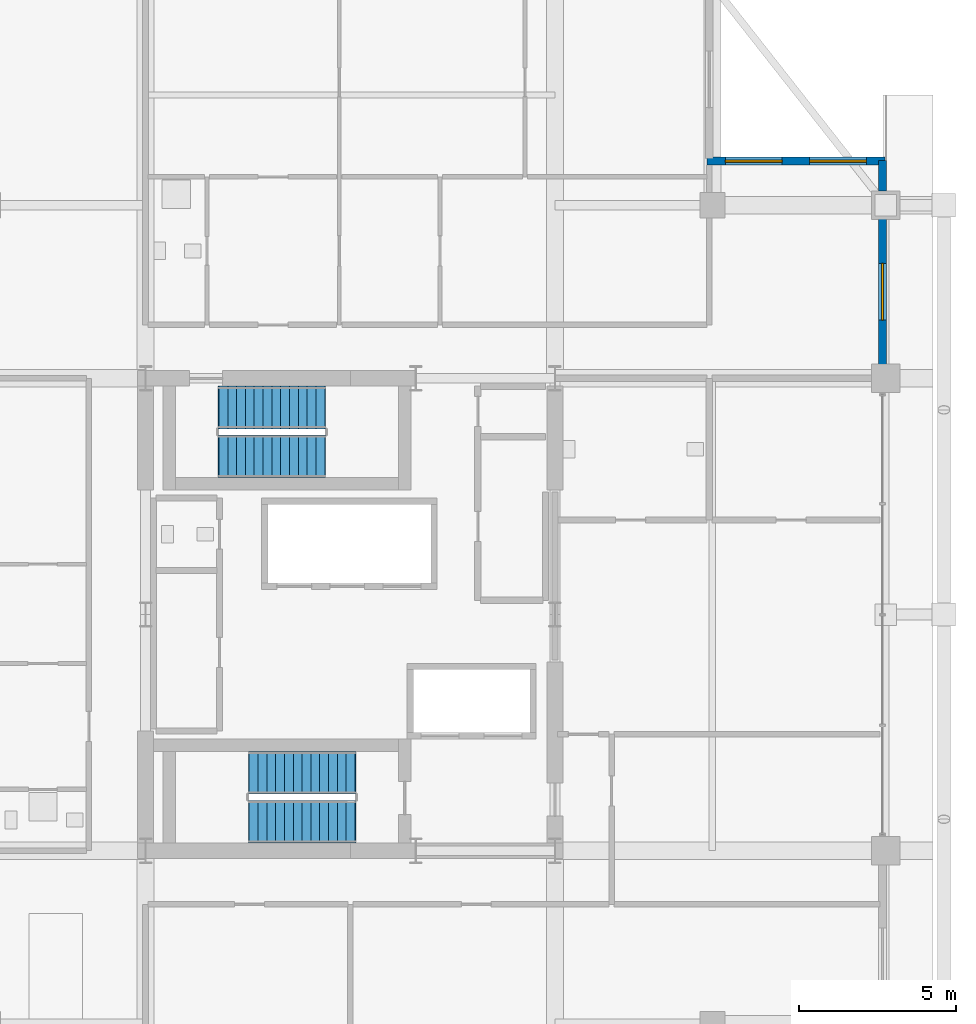
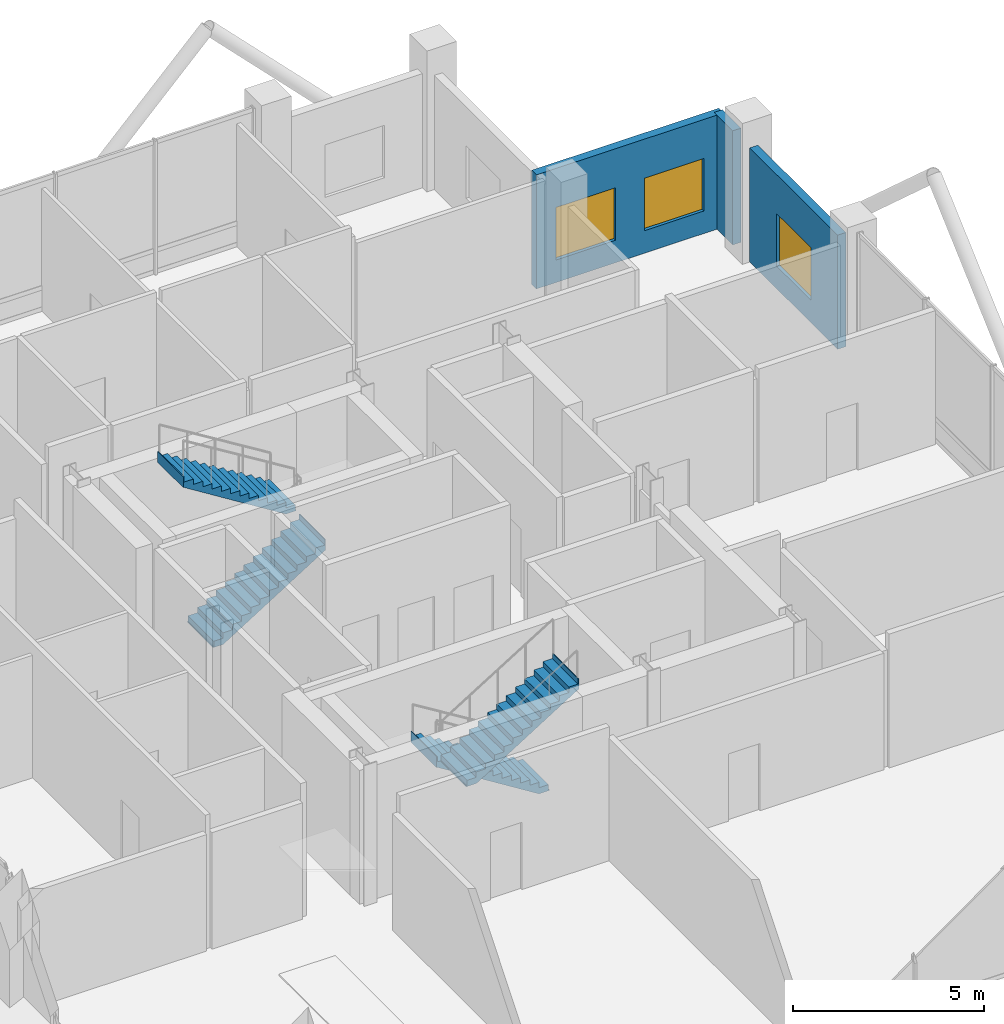
# One storey, part 23 of 27: 4 stair flights, 3 walls, 3 windows, 3 openings, 2 elements without a shape of their own.
"""IFC4 building model written with IfcOpenShell, lengths in metres."""

from ifc_helpers import new_model, si_unit, direction, frame, frame_2d, origin, place, context, subcontext, project, spatial, polyline, rectangle, outline, extrude, material, layer, layer_set, type_object, element, fill, aggregate, save


model = new_model("IFC4")

# Units and contexts
model_context = context("Model", 3, precision=1e-05, world=origin(), true_north=direction((0.0, 1.0)))
body_context = subcontext(model_context, "Body", "Model", "MODEL_VIEW")
ifc_project = project(units=[si_unit("LENGTHUNIT", "METRE"), si_unit("AREAUNIT", "SQUARE_METRE"), si_unit("VOLUMEUNIT", "CUBIC_METRE"), si_unit("PLANEANGLEUNIT", "RADIAN"), si_unit("MASSUNIT", "GRAM", prefix="KILO")], contexts=[model_context])

# Site, building, storey
site_placement = place(None, origin())
site = spatial("IfcSite", under=ifc_project, at=site_placement, CompositionType="ELEMENT")
building_placement = place(site_placement, origin())
building = spatial("IfcBuilding", under=site, at=building_placement, Name="Barlavira Tower and Art Museum", CompositionType="ELEMENT")
storey_placement = place(building_placement, frame((0.0, 0.0, 217.800048828125)))
storey = spatial("IfcBuildingStorey", under=building, at=storey_placement, Name="L56", CompositionType="ELEMENT", Elevation=217.800048828125)

# Wall, opening, window
ifc_material_1 = material(Name="Precast concrete C40", Category="concrete")
ifc_layer = layer(ifc_material_1, 0.25, Name="Precast concrete C40")
ifc_layer_set = layer_set([ifc_layer], Name="Precast concrete C40")
wall_type = type_object("IfcWallType", Name="Notched Corner Spandrel Wall 250 Precast Concrete C40", PredefinedType="SOLIDWALL", material=ifc_layer_set)
wall_1_placement = place(storey_placement, frame((16.89990234375, 7.945068359375, 0.0), z_axis=(0.0, 0.0, 1.0), x_axis=(0.0, 1.0, 0.0)))
wall_1 = element("IfcWall", 1, at=wall_1_placement, inside=storey, type_object=wall_type, Name="L56 Coastal Facade Pier Wall CW4-L56-E-4", PredefinedType="SOLIDWALL", context=body_context, shape_type="SweptSolid", body=[
    extrude(rectangle(XDim=4.60986328125, YDim=0.25, at=frame_2d((2.304931640625, 0.0))), origin(), (0.0, 0.0, 1.0), 3.64794921875),
])
opening_1_placement = place(wall_1_placement, frame((1.405029296875, 0.0, 0.719970703125)))
opening_1 = element("IfcOpeningElement", 2, at=opening_1_placement, cuts=wall_1, Name="Opening WN-01", PredefinedType="OPENING", context=body_context, shape_type="SweptSolid", body=[
    extrude(rectangle(XDim=1.800048828125, YDim=1.679931640625, at=frame_2d((0.89990234375, 0.83984375))), frame((0.0, 0.135009765625, 0.0), z_axis=(0.0, -1.0, 0.0), x_axis=(1.0, 0.0, 0.0)), (0.0, 0.0, 1.0), 0.27001953125),
])
ifc_material_2 = material(Name="Low-iron coastal laminated glass", Category="glass")
window_type = type_object("IfcWindowType", Name="Recessed Notch Corner Punch Window 1800x1680", PartitioningType="SINGLE_PANEL", PredefinedType="WINDOW", material=ifc_material_2)
window_1_placement = place(opening_1_placement, origin())
window_1 = element("IfcWindow", 3, at=window_1_placement, inside=storey, type_object=window_type, Name="L56 Punched Facade Window EWP-CW4-L56-E-4-1", OverallHeight=1.679931640625, OverallWidth=1.800048828125, PartitioningType="SINGLE_PANEL", PredefinedType="WINDOW", context=body_context, shape_type="SweptSolid", body=[
    extrude(rectangle(XDim=1.800048828125, YDim=1.679931640625, at=frame_2d((0.89990234375, 0.83984375))), frame((0.0, 0.030029296875, 0.0), z_axis=(0.0, -1.0, 0.0), x_axis=(1.0, 0.0, 0.0)), (0.0, 0.0, 1.0), 0.06005859375),
])
fill(opening_1, window_1)

# Wall
wall_2_placement = place(storey_placement, frame((16.89990234375, 13.445068359375, 0.0), z_axis=(0.0, 0.0, 1.0), x_axis=(0.0, 1.0, 0.0)))
element("IfcWall", 4, at=wall_2_placement, inside=storey, type_object=wall_type, Name="L56 Coastal Facade Pier Wall CW4-L56-E-5", PredefinedType="SOLIDWALL", context=body_context, shape_type="SweptSolid", body=[
    extrude(rectangle(XDim=0.97998046875, YDim=0.25, at=frame_2d((0.489990234375, 0.0))), origin(), (0.0, 0.0, 1.0), 3.64794921875),
])

# Wall, openings, windows
wall_3_placement = place(storey_placement, frame((16.97998046875, 14.39990234375, 0.0), z_axis=(0.0, 0.0, 1.0), x_axis=(-1.0, 0.0, 0.0)))
wall_3 = element("IfcWall", 5, at=wall_3_placement, inside=storey, type_object=wall_type, Name="L56 Notch Corner Wall NE1", PredefinedType="SOLIDWALL", context=body_context, shape_type="SweptSolid", body=[
    extrude(rectangle(XDim=5.659912109375, YDim=0.25, at=frame_2d((2.830078125, 0.0))), origin(), (0.0, 0.0, 1.0), 3.64794921875),
])
opening_2_placement = place(wall_3_placement, frame((0.594970703125, 0.0, 0.719970703125)))
opening_2 = element("IfcOpeningElement", 6, at=opening_2_placement, cuts=wall_3, Name="Opening WN-01", PredefinedType="OPENING", context=body_context, shape_type="SweptSolid", body=[
    extrude(rectangle(XDim=1.800048828125, YDim=1.679931640625, at=frame_2d((0.89990234375, 0.83984375))), frame((0.0, 0.135009765625, 0.0), z_axis=(0.0, -1.0, 0.0), x_axis=(1.0, 0.0, 0.0)), (0.0, 0.0, 1.0), 0.27001953125),
])
opening_3_placement = place(wall_3_placement, frame((3.264892578125, 0.0, 0.719970703125)))
opening_3 = element("IfcOpeningElement", 7, at=opening_3_placement, cuts=wall_3, Name="Opening WN-01", PredefinedType="OPENING", context=body_context, shape_type="SweptSolid", body=[
    extrude(rectangle(XDim=1.800048828125, YDim=1.679931640625, at=frame_2d((0.89990234375, 0.83984375))), frame((0.0, 0.135009765625, 0.0), z_axis=(0.0, -1.0, 0.0), x_axis=(1.0, 0.0, 0.0)), (0.0, 0.0, 1.0), 0.27001953125),
])
window_2_placement = place(opening_2_placement, origin())
window_2 = element("IfcWindow", 8, at=window_2_placement, inside=storey, type_object=window_type, Name="L56 Punched Facade Window EW-NTC-L56-NE1-1", OverallHeight=1.679931640625, OverallWidth=1.800048828125, PartitioningType="SINGLE_PANEL", PredefinedType="WINDOW", context=body_context, shape_type="SweptSolid", body=[
    extrude(rectangle(XDim=1.800048828125, YDim=1.679931640625, at=frame_2d((0.89990234375, 0.83984375))), frame((0.0, 0.030029296875, 0.0), z_axis=(0.0, -1.0, 0.0), x_axis=(1.0, 0.0, 0.0)), (0.0, 0.0, 1.0), 0.06005859375),
])
fill(opening_2, window_2)
window_3_placement = place(opening_3_placement, origin())
window_3 = element("IfcWindow", 9, at=window_3_placement, inside=storey, type_object=window_type, Name="L56 Punched Facade Window EW-NTC-L56-NE1-2", OverallHeight=1.679931640625, OverallWidth=1.800048828125, PartitioningType="SINGLE_PANEL", PredefinedType="WINDOW", context=body_context, shape_type="SweptSolid", body=[
    extrude(rectangle(XDim=1.800048828125, YDim=1.679931640625, at=frame_2d((0.89990234375, 0.83984375))), frame((0.0, 0.030029296875, 0.0), z_axis=(0.0, -1.0, 0.0), x_axis=(1.0, 0.0, 0.0)), (0.0, 0.0, 1.0), 0.06005859375),
])
fill(opening_3, window_3)

# Stair, stair flights
ifc_material_3 = material(Name="Concrete C45", Category="concrete")
stair_type_1 = type_object("IfcStairType", Name="Tower North Dog-Leg Exit Stair Assembly Concrete C45", PredefinedType="TWO_QUARTER_TURN_STAIR", material=ifc_material_3)
stair_1_placement = place(storey_placement, origin())
stair_1 = element("IfcStair", 10, at=stair_1_placement, inside=storey, type_object=stair_type_1, Name="L56 Tower North Exit Stair ST-T2", PredefinedType="TWO_QUARTER_TURN_STAIR")
ifc_material_4 = material(Name="Precast concrete C45", Category="concrete")
stair_flight_type_1 = type_object("IfcStairFlightType", Name="Tower North Dog-Leg Exit Stair Precast Flight 1350 Concrete C45", PredefinedType="STRAIGHT", material=ifc_material_4)
stair_flight_1_placement = place(storey_placement, frame((-4.169921875, 5.02490234375, 0.0), z_axis=(0.0, 0.0, 1.0), x_axis=(1.0, 0.0, 0.0)))
stair_flight_1 = element("IfcStairFlight", 11, at=stair_flight_1_placement, type_object=stair_flight_type_1, Name="ST-T2 flight 1", NumberOfRisers=13, NumberOfTreads=12, PredefinedType="STRAIGHT", RiserHeight=0.173076923, TreadLength=0.28, context=body_context, shape_type="SweptSolid", body=[
    extrude(outline(polyline([(-0.02490234375, 0.0), (0.0, 0.0), (0.0, 0.173095703125), (0.280029296875, 0.173095703125), (0.280029296875, 0.34619140625), (0.56005859375, 0.34619140625), (0.56005859375, 0.519287109375), (0.840087890625, 0.519287109375), (0.840087890625, 0.6923828125), (1.1201171875, 0.6923828125), (1.1201171875, 0.865478515625), (1.39990234375, 0.865478515625), (1.39990234375, 1.03857421875), (1.679931640625, 1.03857421875), (1.679931640625, 1.21142578125), (1.9599609375, 1.21142578125), (1.9599609375, 1.384521484375), (2.239990234375, 1.384521484375), (2.239990234375, 1.5576171875), (2.52001953125, 1.5576171875), (2.52001953125, 1.730712890625), (2.800048828125, 1.730712890625), (2.800048828125, 1.90380859375), (3.080078125, 1.90380859375), (3.080078125, 2.076904296875), (3.360107421875, 2.076904296875), (3.360107421875, 2.25), (3.385009765625, 2.25), (3.385009765625, 1.900634765625), (3.360107421875, 1.900634765625), (0.28515625, -0.02490234375), (-0.02490234375, -0.02490234375), (-0.02490234375, 0.0)])), frame((0.0, 0.675048828125, 0.0), z_axis=(0.0, -1.0, 0.0), x_axis=(1.0, 0.0, 0.0)), (0.0, 0.0, 1.0), 1.35009765625),
])
stair_flight_2_placement = place(storey_placement, frame((-0.81005859375, 6.574951171875, 2.25), z_axis=(0.0, 0.0, 1.0), x_axis=(-1.0, 0.0, 0.0)))
stair_flight_2 = element("IfcStairFlight", 12, at=stair_flight_2_placement, type_object=stair_flight_type_1, Name="ST-T2 flight 2", NumberOfRisers=13, NumberOfTreads=12, PredefinedType="STRAIGHT", RiserHeight=0.173076923, TreadLength=0.28, context=body_context, shape_type="SweptSolid", body=[
    extrude(outline(polyline([(-0.02490234375, 0.0), (0.0, 0.0), (0.0, 0.173095703125), (0.280029296875, 0.173095703125), (0.280029296875, 0.34619140625), (0.56005859375, 0.34619140625), (0.56005859375, 0.519287109375), (0.840087890625, 0.519287109375), (0.840087890625, 0.6923828125), (1.1201171875, 0.6923828125), (1.1201171875, 0.865478515625), (1.39990234375, 0.865478515625), (1.39990234375, 1.03857421875), (1.679931640625, 1.03857421875), (1.679931640625, 1.21142578125), (1.9599609375, 1.21142578125), (1.9599609375, 1.384521484375), (2.239990234375, 1.384521484375), (2.239990234375, 1.5576171875), (2.52001953125, 1.5576171875), (2.52001953125, 1.730712890625), (2.800048828125, 1.730712890625), (2.800048828125, 1.90380859375), (3.080078125, 1.90380859375), (3.080078125, 2.076904296875), (3.360107421875, 2.076904296875), (3.360107421875, 2.25), (3.385009765625, 2.25), (3.385009765625, 1.900634765625), (3.360107421875, 1.900634765625), (0.28515625, -0.02490234375), (-0.02490234375, -0.02490234375), (-0.02490234375, 0.0)])), frame((0.0, 0.675048828125, 0.0), z_axis=(0.0, -1.0, 0.0), x_axis=(1.0, 0.0, 0.0)), (0.0, 0.0, 1.0), 1.35009765625),
])
aggregate(stair_1, [stair_flight_1, stair_flight_2])

stair_type_2 = type_object("IfcStairType", Name="Tower South Dog-Leg Exit Stair Assembly Concrete C45", PredefinedType="TWO_QUARTER_TURN_STAIR", material=ifc_material_3)
stair_2_placement = place(storey_placement, origin())
stair_2 = element("IfcStair", 13, at=stair_2_placement, inside=storey, type_object=stair_type_2, Name="L56 Tower South Exit Stair ST-T1", PredefinedType="TWO_QUARTER_TURN_STAIR")
stair_flight_type_2 = type_object("IfcStairFlightType", Name="Tower South Dog-Leg Exit Stair Precast Flight 1350 Concrete C45", PredefinedType="STRAIGHT", material=ifc_material_4)
stair_flight_3_placement = place(storey_placement, frame((0.14990234375, -5.02490234375, 0.0), z_axis=(0.0, 0.0, 1.0), x_axis=(-1.0, 0.0, 0.0)))
stair_flight_3 = element("IfcStairFlight", 14, at=stair_flight_3_placement, type_object=stair_flight_type_2, Name="ST-T1 flight 1", NumberOfRisers=13, NumberOfTreads=12, PredefinedType="STRAIGHT", RiserHeight=0.173076923, TreadLength=0.28, context=body_context, shape_type="SweptSolid", body=[
    extrude(outline(polyline([(-0.02490234375, 0.0), (0.0, 0.0), (0.0, 0.173095703125), (0.280029296875, 0.173095703125), (0.280029296875, 0.34619140625), (0.56005859375, 0.34619140625), (0.56005859375, 0.519287109375), (0.840087890625, 0.519287109375), (0.840087890625, 0.6923828125), (1.1201171875, 0.6923828125), (1.1201171875, 0.865478515625), (1.39990234375, 0.865478515625), (1.39990234375, 1.03857421875), (1.679931640625, 1.03857421875), (1.679931640625, 1.21142578125), (1.9599609375, 1.21142578125), (1.9599609375, 1.384521484375), (2.239990234375, 1.384521484375), (2.239990234375, 1.5576171875), (2.52001953125, 1.5576171875), (2.52001953125, 1.730712890625), (2.800048828125, 1.730712890625), (2.800048828125, 1.90380859375), (3.080078125, 1.90380859375), (3.080078125, 2.076904296875), (3.360107421875, 2.076904296875), (3.360107421875, 2.25), (3.385009765625, 2.25), (3.385009765625, 1.900634765625), (3.360107421875, 1.900634765625), (0.28515625, -0.02490234375), (-0.02490234375, -0.02490234375), (-0.02490234375, 0.0)])), frame((0.0, 0.675048828125, 0.0), z_axis=(0.0, -1.0, 0.0), x_axis=(1.0, 0.0, 0.0)), (0.0, 0.0, 1.0), 1.35009765625),
])
stair_flight_4_placement = place(storey_placement, frame((-3.2099609375, -6.574951171875, 2.25), z_axis=(0.0, 0.0, 1.0), x_axis=(1.0, 0.0, 0.0)))
stair_flight_4 = element("IfcStairFlight", 15, at=stair_flight_4_placement, type_object=stair_flight_type_2, Name="ST-T1 flight 2", NumberOfRisers=13, NumberOfTreads=12, PredefinedType="STRAIGHT", RiserHeight=0.173076923, TreadLength=0.28, context=body_context, shape_type="SweptSolid", body=[
    extrude(outline(polyline([(-0.02490234375, 0.0), (0.0, 0.0), (0.0, 0.173095703125), (0.280029296875, 0.173095703125), (0.280029296875, 0.34619140625), (0.56005859375, 0.34619140625), (0.56005859375, 0.519287109375), (0.840087890625, 0.519287109375), (0.840087890625, 0.6923828125), (1.1201171875, 0.6923828125), (1.1201171875, 0.865478515625), (1.39990234375, 0.865478515625), (1.39990234375, 1.03857421875), (1.679931640625, 1.03857421875), (1.679931640625, 1.21142578125), (1.9599609375, 1.21142578125), (1.9599609375, 1.384521484375), (2.239990234375, 1.384521484375), (2.239990234375, 1.5576171875), (2.52001953125, 1.5576171875), (2.52001953125, 1.730712890625), (2.800048828125, 1.730712890625), (2.800048828125, 1.90380859375), (3.080078125, 1.90380859375), (3.080078125, 2.076904296875), (3.360107421875, 2.076904296875), (3.360107421875, 2.25), (3.385009765625, 2.25), (3.385009765625, 1.900634765625), (3.360107421875, 1.900634765625), (0.28515625, -0.02490234375), (-0.02490234375, -0.02490234375), (-0.02490234375, 0.0)])), frame((0.0, 0.675048828125, 0.0), z_axis=(0.0, -1.0, 0.0), x_axis=(1.0, 0.0, 0.0)), (0.0, 0.0, 1.0), 1.35009765625),
])
aggregate(stair_2, [stair_flight_3, stair_flight_4])

save(model, "model.ifc")
